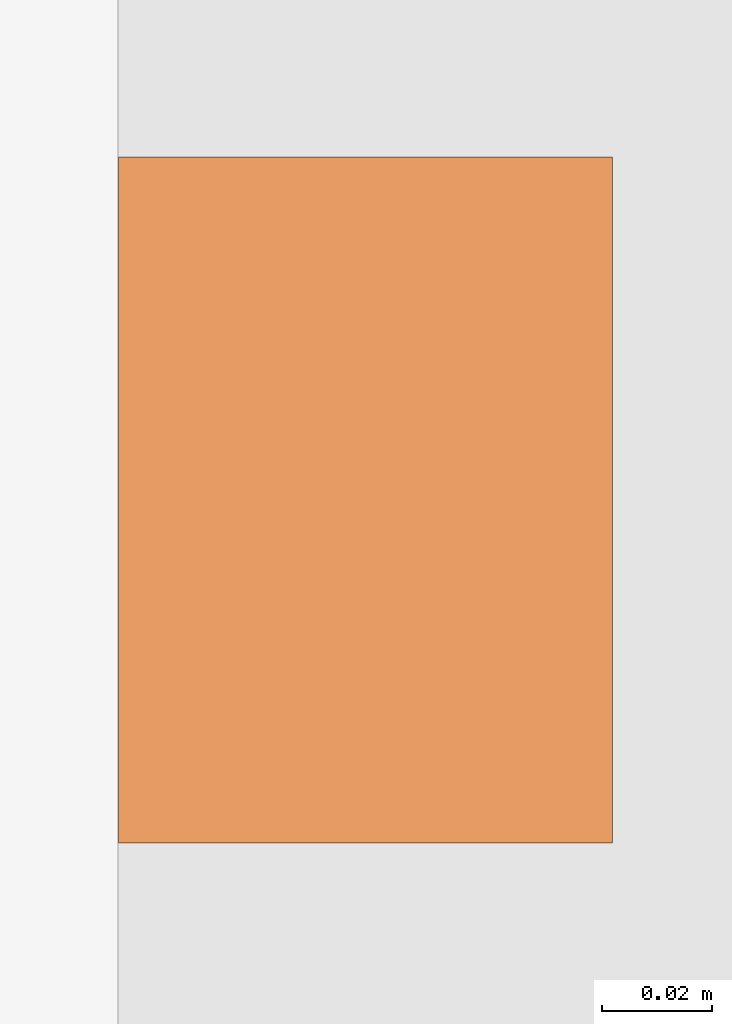
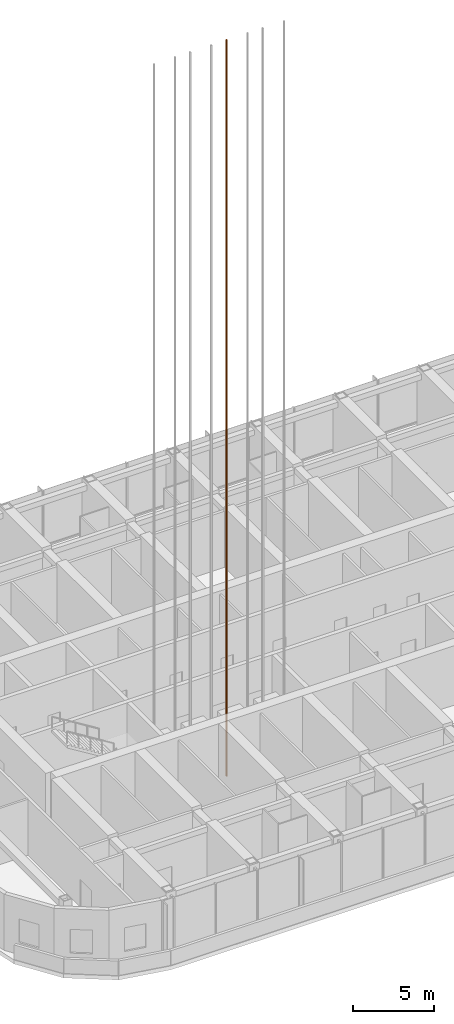
# One storey, part 32 of 35: 1 proxy.
"""IFC4 building model written with IfcOpenShell, lengths in metres."""

from ifc_helpers import new_model, si_unit, direction, frame, origin, origin_2d, place, context, subcontext, project, spatial, rectangle, extrude, material, element, save


model = new_model("IFC4")

# Units and contexts
model_context = context("Model", 3, precision=1e-05, world=origin(), true_north=direction((0.0, 1.0)))
body_context = subcontext(model_context, "Body", "Model", "MODEL_VIEW")
ifc_project = project(units=[si_unit("LENGTHUNIT", "METRE"), si_unit("AREAUNIT", "SQUARE_METRE"), si_unit("VOLUMEUNIT", "CUBIC_METRE"), si_unit("PLANEANGLEUNIT", "RADIAN"), si_unit("MASSUNIT", "GRAM", prefix="KILO")], contexts=[model_context])

# Site, building, storey
site_placement = place(None, origin())
site = spatial("IfcSite", under=ifc_project, at=site_placement, CompositionType="ELEMENT")
building_placement = place(site_placement, origin())
building = spatial("IfcBuilding", under=site, at=building_placement, Name="Orbita Commons", CompositionType="ELEMENT")
storey_placement = place(building_placement, frame((0.0, 0.0, 208.300048828125)))
storey = spatial("IfcBuildingStorey", under=building, at=storey_placement, Name="L51", CompositionType="ELEMENT", Elevation=208.300048828125)

# Proxy
ifc_material = material(Name="Machined steel guide rail", Category="steel")
placement = place(storey_placement, frame((32.5, 28.10009765625, 0.0), z_axis=(0.0, 0.0, 1.0), x_axis=(1.0, 0.0, 0.0)))
proxy_placement = place(placement, frame((-0.7548828125, 0.0, -1.800048828125)))
element("IfcBuildingElementProxy", 1, at=proxy_placement, inside=storey, material=ifc_material, Name="P43 guide rail 1", ObjectType="GUIDE RAIL", PredefinedType="USERDEFINED", context=body_context, shape_type="SweptSolid", body=[
    extrude(rectangle(XDim=0.09, YDim=0.125, at=origin_2d()), origin(), (0.0, 0.0, 1.0), 55.800048828125),
])

save(model, "model.ifc")
